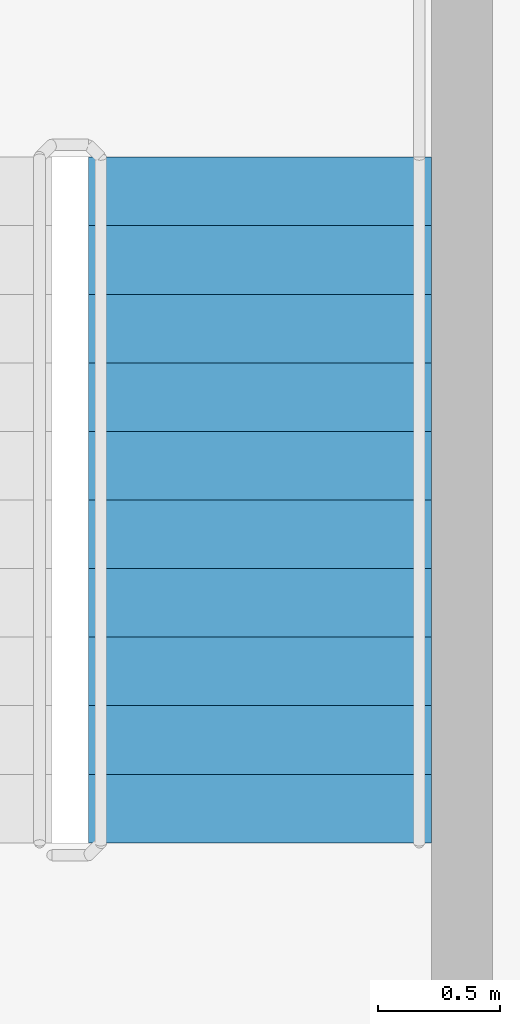
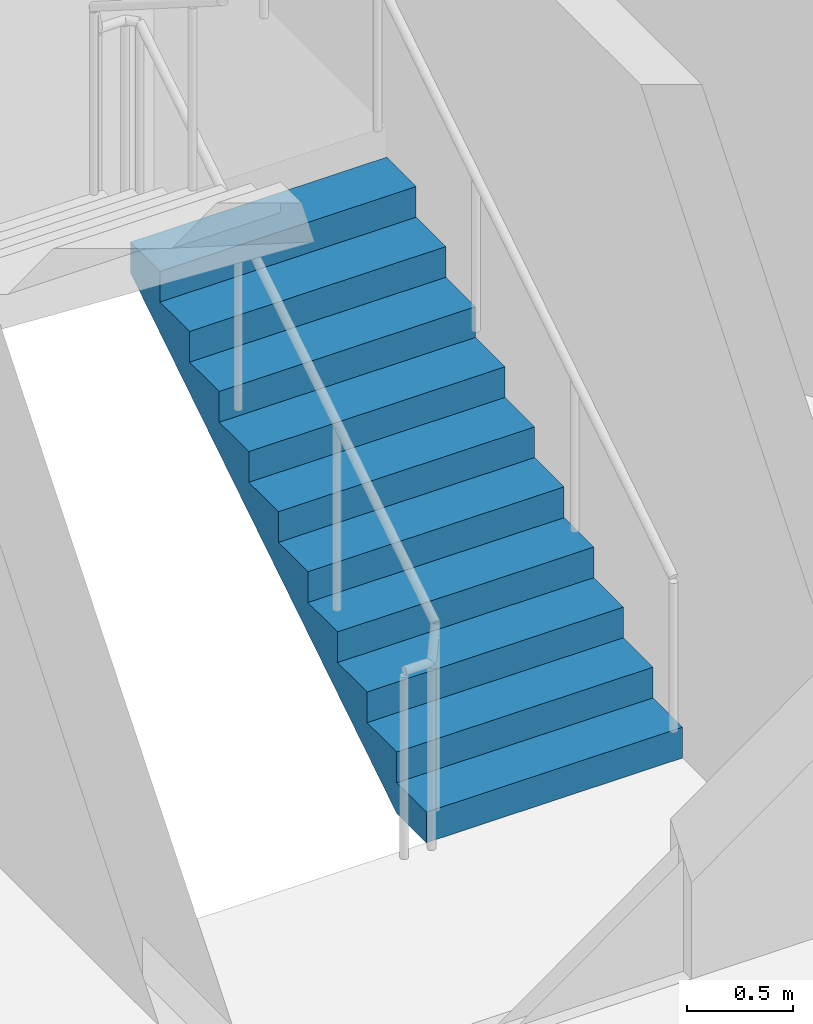
# One storey, part 11 of 12: 1 stair flight, 1 element without a shape of its own.
"""IFC4 building model written with IfcOpenShell, lengths in metres."""

from ifc_helpers import new_model, si_unit, direction, frame, origin, place, context, subcontext, project, spatial, polyline, outline, extrude, material, type_object, element, aggregate, save


model = new_model("IFC4")

# Units and contexts
model_context = context("Model", 3, precision=1e-05, world=origin(), true_north=direction((0.0, 1.0)))
body_context = subcontext(model_context, "Body", "Model", "MODEL_VIEW")
ifc_project = project(units=[si_unit("LENGTHUNIT", "METRE"), si_unit("AREAUNIT", "SQUARE_METRE"), si_unit("VOLUMEUNIT", "CUBIC_METRE"), si_unit("PLANEANGLEUNIT", "RADIAN"), si_unit("MASSUNIT", "GRAM", prefix="KILO")], contexts=[model_context])

# Site, building, storey
site_placement = place(None, origin())
site = spatial("IfcSite", under=ifc_project, at=site_placement, CompositionType="ELEMENT")
building_placement = place(site_placement, origin())
building = spatial("IfcBuilding", under=site, at=building_placement, Name="Tarnside Tower", CompositionType="ELEMENT")
storey_placement = place(building_placement, frame((0.0, 0.0, 64.800048828125)))
storey = spatial("IfcBuildingStorey", under=building, at=storey_placement, Name="L13", CompositionType="ELEMENT", Elevation=64.800048828125)

# Stair, stair flight
ifc_material = material(Name="Concrete C40/50", Category="concrete")
stair_type = type_object("IfcStairType", Name="Exit stair 1400 clear", PredefinedType="HALF_TURN_STAIR", material=ifc_material)
stair_placement = place(storey_placement, origin())
stair = element("IfcStair", 1, at=stair_placement, inside=storey, type_object=stair_type, Name="L13 Exit stair 1", PredefinedType="HALF_TURN_STAIR")
stair_flight_type = type_object("IfcStairFlightType", Name="Exit stair flight 1400", PredefinedType="STRAIGHT", material=ifc_material)
stair_flight_placement = place(storey_placement, frame((8.14990234375, -1.800048828125, 0.0), z_axis=(0.0, 0.0, 1.0), x_axis=(0.0, 1.0, 0.0)))
stair_flight = element("IfcStairFlight", 2, at=stair_flight_placement, type_object=stair_flight_type, Name="ST1 flight 1", NumberOfRisers=11, NumberOfTreads=10, PredefinedType="STRAIGHT", RiserHeight=0.177272727, TreadLength=0.28, context=body_context, shape_type="SweptSolid", body=[
    extrude(outline(polyline([(0.0, 0.0), (0.0, 0.17724609375), (0.280029296875, 0.17724609375), (0.280029296875, 0.3544921875), (0.56005859375, 0.3544921875), (0.56005859375, 0.53173828125), (0.840087890625, 0.53173828125), (0.840087890625, 0.708984375), (1.1201171875, 0.708984375), (1.1201171875, 0.886474609375), (1.39990234375, 0.886474609375), (1.39990234375, 1.063720703125), (1.679931640625, 1.063720703125), (1.679931640625, 1.240966796875), (1.9599609375, 1.240966796875), (1.9599609375, 1.418212890625), (2.239990234375, 1.418212890625), (2.239990234375, 1.595458984375), (2.52001953125, 1.595458984375), (2.52001953125, 1.772705078125), (2.800048828125, 1.772705078125), (2.800048828125, 1.949951171875), (2.800048828125, 1.59521484375), (0.2802734375, 0.0), (0.0, 0.0)])), frame((0.0, 0.699951171875, 0.0), z_axis=(0.0, -1.0, 0.0), x_axis=(1.0, 0.0, 0.0)), (0.0, 0.0, 1.0), 1.39990234375),
])
aggregate(stair, [stair_flight])

save(model, "model.ifc")
